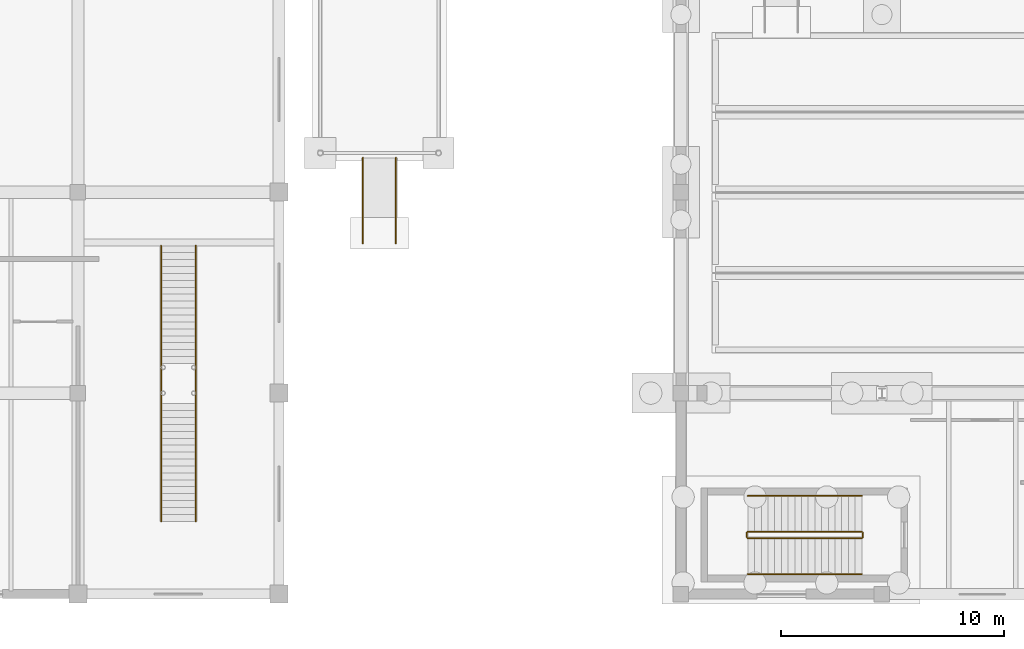
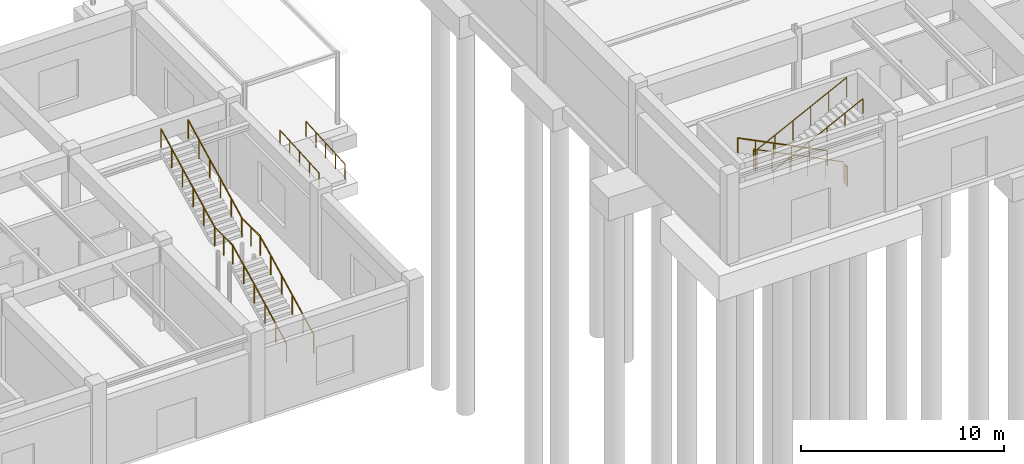
# One storey, part 68 of 76: 14 railings.
"""IFC4 building model written with IfcOpenShell, lengths in metres."""

from ifc_helpers import new_model, si_unit, direction, frame, origin, origin_2d, place, context, subcontext, project, spatial, circle, extrude, material, type_object, element, save


model = new_model("IFC4")

# Units and contexts
model_context = context("Model", 3, precision=1e-05, world=origin(), true_north=direction((0.0, 1.0)))
body_context = subcontext(model_context, "Body", "Model", "MODEL_VIEW")
ifc_project = project(units=[si_unit("LENGTHUNIT", "METRE"), si_unit("AREAUNIT", "SQUARE_METRE"), si_unit("VOLUMEUNIT", "CUBIC_METRE"), si_unit("PLANEANGLEUNIT", "RADIAN"), si_unit("MASSUNIT", "GRAM", prefix="KILO")], contexts=[model_context])

# Site, building, storey
site_placement = place(None, origin())
site = spatial("IfcSite", under=ifc_project, at=site_placement, CompositionType="ELEMENT")
building_placement = place(site_placement, origin())
building = spatial("IfcBuilding", under=site, at=building_placement, Name="Bozkorgan Art Gallery", CompositionType="ELEMENT")
storey_placement = place(building_placement, origin())
storey = spatial("IfcBuildingStorey", under=building, at=storey_placement, Name="L00", CompositionType="ELEMENT", Elevation=0.0)

# Railings
ifc_material = material(Name="Steel S355J2", Category="steel")
railing_type_1 = type_object("IfcRailingType", Name="RAIL-GRD-115", PredefinedType="GUARDRAIL", material=ifc_material)
railing_1_placement = place(storey_placement, frame((91.10009765625, 4.800048828125, 0.14990234375)))
element("IfcRailing", 1, at=railing_1_placement, inside=storey, type_object=railing_type_1, Name="L00 ST6 stair guard 1", PredefinedType="GUARDRAIL", context=body_context, shape_type="SweptSolid", body=[
    extrude(circle(Radius=0.02392578125, at=origin_2d()), frame((0.0, 0.0, 1.17578125), z_axis=(-0.894427191, 0.0, 0.4472135955), x_axis=(0.0, -1.0, 0.0)), (0.0, 0.0, 1.0), 5.7021484375),
    extrude(circle(Radius=0.02099609375, at=origin_2d()), origin(), (0.0, 0.0, 1.0), 1.15185546875),
    extrude(circle(Radius=0.02099609375, at=origin_2d()), frame((-1.02001953125, 0.0, 0.510009765625)), (0.0, 0.0, 1.0), 1.15185546875),
    extrude(circle(Radius=0.02099609375, at=origin_2d()), frame((-2.0400390625, 0.0, 1.02001953125)), (0.0, 0.0, 1.0), 1.15185546875),
    extrude(circle(Radius=0.02099609375, at=origin_2d()), frame((-3.06005859375, 0.0, 1.530029296875)), (0.0, 0.0, 1.0), 1.15185546875),
    extrude(circle(Radius=0.02099609375, at=origin_2d()), frame((-4.080078125, 0.0, 2.0400390625)), (0.0, 0.0, 1.0), 1.15185546875),
    extrude(circle(Radius=0.02099609375, at=origin_2d()), frame((-5.10009765625, 0.0, 2.550048828125)), (0.0, 0.0, 1.0), 1.15185546875),
])
railing_2_placement = place(storey_placement, frame((85.949951171875, 4.75, 2.699951171875)))
element("IfcRailing", 2, at=railing_2_placement, inside=storey, type_object=railing_type_1, Name="L00 ST6 stair guard 2", PredefinedType="GUARDRAIL", context=body_context, shape_type="SweptSolid", body=[
    extrude(circle(Radius=0.02392578125, at=origin_2d()), frame((0.0, 0.0, 1.17578125), z_axis=(0.0, -1.0, 0.0), x_axis=(1.0, 0.0, 0.0)), (0.0, 0.0, 1.0), 0.199951171875),
    extrude(circle(Radius=0.02099609375, at=origin_2d()), origin(), (0.0, 0.0, 1.0), 1.15185546875),
    extrude(circle(Radius=0.02099609375, at=origin_2d()), frame((0.0, -0.199951171875, 0.0)), (0.0, 0.0, 1.0), 1.15185546875),
])
railing_3_placement = place(storey_placement, frame((86.0, 4.5, 2.85009765625)))
element("IfcRailing", 3, at=railing_3_placement, inside=storey, type_object=railing_type_1, Name="L00 ST6 stair guard 3", PredefinedType="GUARDRAIL", context=body_context, shape_type="SweptSolid", body=[
    extrude(circle(Radius=0.02392578125, at=origin_2d()), frame((0.0, 0.0, 1.17578125), z_axis=(0.89444431709, 0.0, 0.44717934168), x_axis=(0.0, 1.0, 0.0)), (0.0, 0.0, 1.0), 5.701904296875),
    extrude(circle(Radius=0.02099609375, at=origin_2d()), origin(), (0.0, 0.0, 1.0), 1.15185546875),
    extrude(circle(Radius=0.02099609375, at=origin_2d()), frame((1.02001953125, 0.0, 0.510009765625)), (0.0, 0.0, 1.0), 1.15185546875),
    extrude(circle(Radius=0.02099609375, at=origin_2d()), frame((2.0400390625, 0.0, 1.02001953125)), (0.0, 0.0, 1.0), 1.15185546875),
    extrude(circle(Radius=0.02099609375, at=origin_2d()), frame((3.06005859375, 0.0, 1.52978515625)), (0.0, 0.0, 1.0), 1.15185546875),
    extrude(circle(Radius=0.02099609375, at=origin_2d()), frame((4.080078125, 0.0, 2.039794921875)), (0.0, 0.0, 1.0), 1.15185546875),
    extrude(circle(Radius=0.02099609375, at=origin_2d()), frame((5.10009765625, 0.0, 2.5498046875)), (0.0, 0.0, 1.0), 1.15185546875),
])
railing_4_placement = place(storey_placement, frame((91.14990234375, 4.75, 0.0)))
element("IfcRailing", 4, at=railing_4_placement, inside=storey, type_object=railing_type_1, Name="L00 ST6 stair guard 4", PredefinedType="GUARDRAIL", context=body_context, shape_type="SweptSolid", body=[
    extrude(circle(Radius=0.02392578125, at=origin_2d()), frame((0.0, 0.0, 1.17578125), z_axis=(0.0, -1.0, 0.0), x_axis=(1.0, 0.0, 0.0)), (0.0, 0.0, 1.0), 0.199951171875),
    extrude(circle(Radius=0.02099609375, at=origin_2d()), origin(), (0.0, 0.0, 1.0), 1.15185546875),
    extrude(circle(Radius=0.02099609375, at=origin_2d()), frame((0.0, -0.199951171875, 0.0)), (0.0, 0.0, 1.0), 1.15185546875),
])
railing_5_placement = place(storey_placement, frame((59.72509765625, 5.260009765625, 0.0)))
element("IfcRailing", 5, at=railing_5_placement, inside=storey, type_object=railing_type_1, Name="ST7 lower guard W", PredefinedType="GUARDRAIL", context=body_context, shape_type="SweptSolid", body=[
    extrude(circle(Radius=0.02392578125, at=origin_2d()), frame((0.0, 0.0, 1.1259765625), z_axis=(0.0, 0.889997253095, 0.455965886314), x_axis=(-1.0, 0.0, 0.0)), (0.0, 0.0, 1.0), 5.92138671875),
    extrude(circle(Radius=0.02099609375, at=origin_2d()), origin(), (0.0, 0.0, 1.0), 1.101806640625),
    extrude(circle(Radius=0.02099609375, at=origin_2d()), frame((0.0, 1.053955078125, 0.5400390625)), (0.0, 0.0, 1.0), 1.101806640625),
    extrude(circle(Radius=0.02099609375, at=origin_2d()), frame((0.0, 2.10791015625, 1.080078125)), (0.0, 0.0, 1.0), 1.101806640625),
    extrude(circle(Radius=0.02099609375, at=origin_2d()), frame((0.0, 3.162109375, 1.619873046875)), (0.0, 0.0, 1.0), 1.101806640625),
    extrude(circle(Radius=0.02099609375, at=origin_2d()), frame((0.0, 4.216064453125, 2.159912109375)), (0.0, 0.0, 1.0), 1.101806640625),
    extrude(circle(Radius=0.02099609375, at=origin_2d()), frame((0.0, 5.27001953125, 2.699951171875)), (0.0, 0.0, 1.0), 1.101806640625),
])
railing_6_placement = place(storey_placement, frame((59.72509765625, 10.530029296875, 2.699951171875)))
element("IfcRailing", 6, at=railing_6_placement, inside=storey, type_object=railing_type_1, Name="ST7 landing guard W", PredefinedType="GUARDRAIL", context=body_context, shape_type="SweptSolid", body=[
    extrude(circle(Radius=0.02392578125, at=origin_2d()), frame((0.0, 0.0, 1.1259765625), z_axis=(0.0, 1.0, 0.0), x_axis=(-1.0, 0.0, 0.0)), (0.0, 0.0, 1.0), 1.800048828125),
    extrude(circle(Radius=0.02099609375, at=origin_2d()), origin(), (0.0, 0.0, 1.0), 1.101806640625),
    extrude(circle(Radius=0.02099609375, at=origin_2d()), frame((0.0, 0.89990234375, 0.0)), (0.0, 0.0, 1.0), 1.101806640625),
    extrude(circle(Radius=0.02099609375, at=origin_2d()), frame((0.0, 1.800048828125, 0.0)), (0.0, 0.0, 1.0), 1.101806640625),
])
for number, where, name in (
    (7, (59.72509765625, 12.330078125, 2.699951171875), "ST7 upper guard W"),
    (8, (61.27490234375, 5.260009765625, 0.0), "ST7 lower guard E"),
):
    element("IfcRailing", number, at=place(storey_placement, frame(where)), inside=storey, type_object=railing_type_1, Name=name, PredefinedType="GUARDRAIL", context=body_context, shape_type="SweptSolid", body=[
        extrude(circle(Radius=0.02392578125, at=origin_2d()), frame((0.0, 0.0, 1.1259765625), z_axis=(0.0, 0.889997253095, 0.455965886314), x_axis=(-1.0, 0.0, 0.0)), (0.0, 0.0, 1.0), 5.92138671875),
        extrude(circle(Radius=0.02099609375, at=origin_2d()), origin(), (0.0, 0.0, 1.0), 1.101806640625),
        extrude(circle(Radius=0.02099609375, at=origin_2d()), frame((0.0, 1.053955078125, 0.5400390625)), (0.0, 0.0, 1.0), 1.101806640625),
        extrude(circle(Radius=0.02099609375, at=origin_2d()), frame((0.0, 2.10791015625, 1.080078125)), (0.0, 0.0, 1.0), 1.101806640625),
        extrude(circle(Radius=0.02099609375, at=origin_2d()), frame((0.0, 3.162109375, 1.619873046875)), (0.0, 0.0, 1.0), 1.101806640625),
        extrude(circle(Radius=0.02099609375, at=origin_2d()), frame((0.0, 4.216064453125, 2.159912109375)), (0.0, 0.0, 1.0), 1.101806640625),
        extrude(circle(Radius=0.02099609375, at=origin_2d()), frame((0.0, 5.27001953125, 2.699951171875)), (0.0, 0.0, 1.0), 1.101806640625),
    ])
railing_7_placement = place(storey_placement, frame((61.27490234375, 10.530029296875, 2.699951171875)))
element("IfcRailing", 9, at=railing_7_placement, inside=storey, type_object=railing_type_1, Name="ST7 landing guard E", PredefinedType="GUARDRAIL", context=body_context, shape_type="SweptSolid", body=[
    extrude(circle(Radius=0.02392578125, at=origin_2d()), frame((0.0, 0.0, 1.1259765625), z_axis=(0.0, 1.0, 0.0), x_axis=(-1.0, 0.0, 0.0)), (0.0, 0.0, 1.0), 1.800048828125),
    extrude(circle(Radius=0.02099609375, at=origin_2d()), origin(), (0.0, 0.0, 1.0), 1.101806640625),
    extrude(circle(Radius=0.02099609375, at=origin_2d()), frame((0.0, 0.89990234375, 0.0)), (0.0, 0.0, 1.0), 1.101806640625),
    extrude(circle(Radius=0.02099609375, at=origin_2d()), frame((0.0, 1.800048828125, 0.0)), (0.0, 0.0, 1.0), 1.101806640625),
])
railing_8_placement = place(storey_placement, frame((61.27490234375, 12.330078125, 2.699951171875)))
element("IfcRailing", 10, at=railing_8_placement, inside=storey, type_object=railing_type_1, Name="ST7 upper guard E", PredefinedType="GUARDRAIL", context=body_context, shape_type="SweptSolid", body=[
    extrude(circle(Radius=0.02392578125, at=origin_2d()), frame((0.0, 0.0, 1.1259765625), z_axis=(0.0, 0.889997253095, 0.455965886314), x_axis=(-1.0, 0.0, 0.0)), (0.0, 0.0, 1.0), 5.92138671875),
    extrude(circle(Radius=0.02099609375, at=origin_2d()), origin(), (0.0, 0.0, 1.0), 1.101806640625),
    extrude(circle(Radius=0.02099609375, at=origin_2d()), frame((0.0, 1.053955078125, 0.5400390625)), (0.0, 0.0, 1.0), 1.101806640625),
    extrude(circle(Radius=0.02099609375, at=origin_2d()), frame((0.0, 2.10791015625, 1.080078125)), (0.0, 0.0, 1.0), 1.101806640625),
    extrude(circle(Radius=0.02099609375, at=origin_2d()), frame((0.0, 3.162109375, 1.619873046875)), (0.0, 0.0, 1.0), 1.101806640625),
    extrude(circle(Radius=0.02099609375, at=origin_2d()), frame((0.0, 4.216064453125, 2.159912109375)), (0.0, 0.0, 1.0), 1.101806640625),
    extrude(circle(Radius=0.02099609375, at=origin_2d()), frame((0.0, 5.27001953125, 2.699951171875)), (0.0, 0.0, 1.0), 1.101806640625),
])
railing_type_2 = type_object("IfcRailingType", Name="RAIL-HND-092", PredefinedType="HANDRAIL", material=ifc_material)
railing_9_placement = place(storey_placement, frame((91.10009765625, 6.39990234375, 0.14990234375)))
element("IfcRailing", 11, at=railing_9_placement, inside=storey, type_object=railing_type_2, Name="L00 ST6 stair handrail 1", PredefinedType="HANDRAIL", context=body_context, shape_type="SweptSolid", body=[
    extrude(circle(Radius=0.02392578125, at=origin_2d()), frame((0.0, 0.0, 0.8759765625), z_axis=(-0.894427191, 0.0, 0.4472135955), x_axis=(0.0, -1.0, 0.0)), (0.0, 0.0, 1.0), 5.7021484375),
    extrude(circle(Radius=0.02099609375, at=origin_2d()), origin(), (0.0, 0.0, 1.0), 0.851806640625),
    extrude(circle(Radius=0.02099609375, at=origin_2d()), frame((-1.02001953125, 0.0, 0.510009765625)), (0.0, 0.0, 1.0), 0.851806640625),
    extrude(circle(Radius=0.02099609375, at=origin_2d()), frame((-2.0400390625, 0.0, 1.02001953125)), (0.0, 0.0, 1.0), 0.851806640625),
    extrude(circle(Radius=0.02099609375, at=origin_2d()), frame((-3.06005859375, 0.0, 1.530029296875)), (0.0, 0.0, 1.0), 0.851806640625),
    extrude(circle(Radius=0.02099609375, at=origin_2d()), frame((-4.080078125, 0.0, 2.0400390625)), (0.0, 0.0, 1.0), 0.851806640625),
    extrude(circle(Radius=0.02099609375, at=origin_2d()), frame((-5.10009765625, 0.0, 2.550048828125)), (0.0, 0.0, 1.0), 0.851806640625),
])
railing_10_placement = place(storey_placement, frame((86.0, 2.89990234375, 2.85009765625)))
element("IfcRailing", 12, at=railing_10_placement, inside=storey, type_object=railing_type_2, Name="L00 ST6 stair handrail 2", PredefinedType="HANDRAIL", context=body_context, shape_type="SweptSolid", body=[
    extrude(circle(Radius=0.02392578125, at=origin_2d()), frame((0.0, 0.0, 0.8759765625), z_axis=(0.89444431709, 0.0, 0.44717934168), x_axis=(0.0, 1.0, 0.0)), (0.0, 0.0, 1.0), 5.701904296875),
    extrude(circle(Radius=0.02099609375, at=origin_2d()), origin(), (0.0, 0.0, 1.0), 0.851806640625),
    extrude(circle(Radius=0.02099609375, at=origin_2d()), frame((1.02001953125, 0.0, 0.510009765625)), (0.0, 0.0, 1.0), 0.851806640625),
    extrude(circle(Radius=0.02099609375, at=origin_2d()), frame((2.0400390625, 0.0, 1.02001953125)), (0.0, 0.0, 1.0), 0.851806640625),
    extrude(circle(Radius=0.02099609375, at=origin_2d()), frame((3.06005859375, 0.0, 1.52978515625)), (0.0, 0.0, 1.0), 0.851806640625),
    extrude(circle(Radius=0.02099609375, at=origin_2d()), frame((4.080078125, 0.0, 2.039794921875)), (0.0, 0.0, 1.0), 0.851806640625),
    extrude(circle(Radius=0.02099609375, at=origin_2d()), frame((5.10009765625, 0.0, 2.5498046875)), (0.0, 0.0, 1.0), 0.851806640625),
])
railing_type_3 = type_object("IfcRailingType", Name="RAIL-RMP-01", PredefinedType="HANDRAIL", material=ifc_material)
for number, where, name in (
    (13, (68.760009765625, 17.699951171875, -0.239990234375), "West Water-Court Walk Accessible Ramp handrail (L)"),
    (14, (70.239990234375, 17.699951171875, -0.239990234375), "West Water-Court Walk Accessible Ramp handrail (R)"),
):
    element("IfcRailing", number, at=place(storey_placement, frame(where)), inside=storey, type_object=railing_type_3, Name=name, PredefinedType="HANDRAIL", context=body_context, shape_type="SweptSolid", body=[
        extrude(circle(Radius=0.02392578125, at=origin_2d()), frame((0.0, 0.0, 0.89599609375), z_axis=(0.0, 0.998052825374, 0.062374335771), x_axis=(-1.0, 0.0, 0.0)), (0.0, 0.0, 1.0), 3.84765625),
        extrude(circle(Radius=0.02099609375, at=origin_2d()), origin(), (0.0, 0.0, 1.0), 0.871826171875),
        extrude(circle(Radius=0.02099609375, at=origin_2d()), frame((0.0, 0.9599609375, 0.06005859375)), (0.0, 0.0, 1.0), 0.871826171875),
        extrude(circle(Radius=0.02099609375, at=origin_2d()), frame((0.0, 1.919921875, 0.1201171875)), (0.0, 0.0, 1.0), 0.871826171875),
        extrude(circle(Radius=0.02099609375, at=origin_2d()), frame((0.0, 2.880126953125, 0.179931640625)), (0.0, 0.0, 1.0), 0.871826171875),
        extrude(circle(Radius=0.02099609375, at=origin_2d()), frame((0.0, 3.840087890625, 0.239990234375)), (0.0, 0.0, 1.0), 0.871826171875),
    ])

save(model, "model.ifc")
